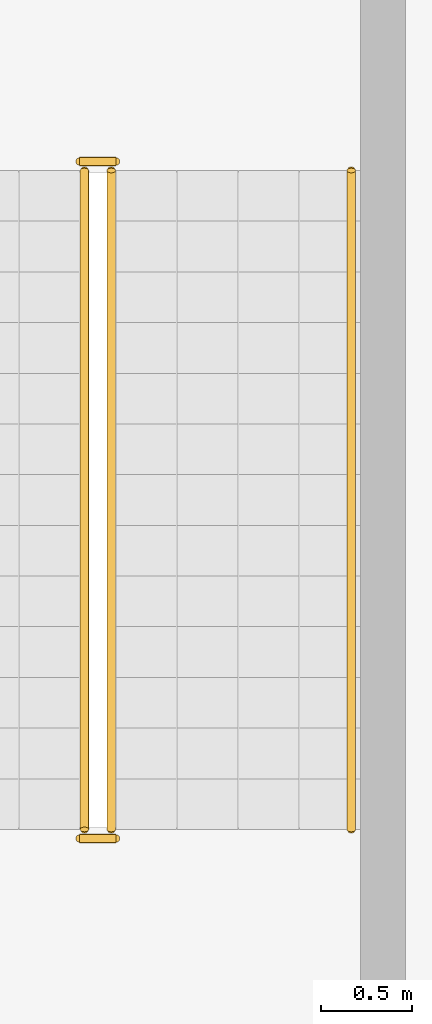
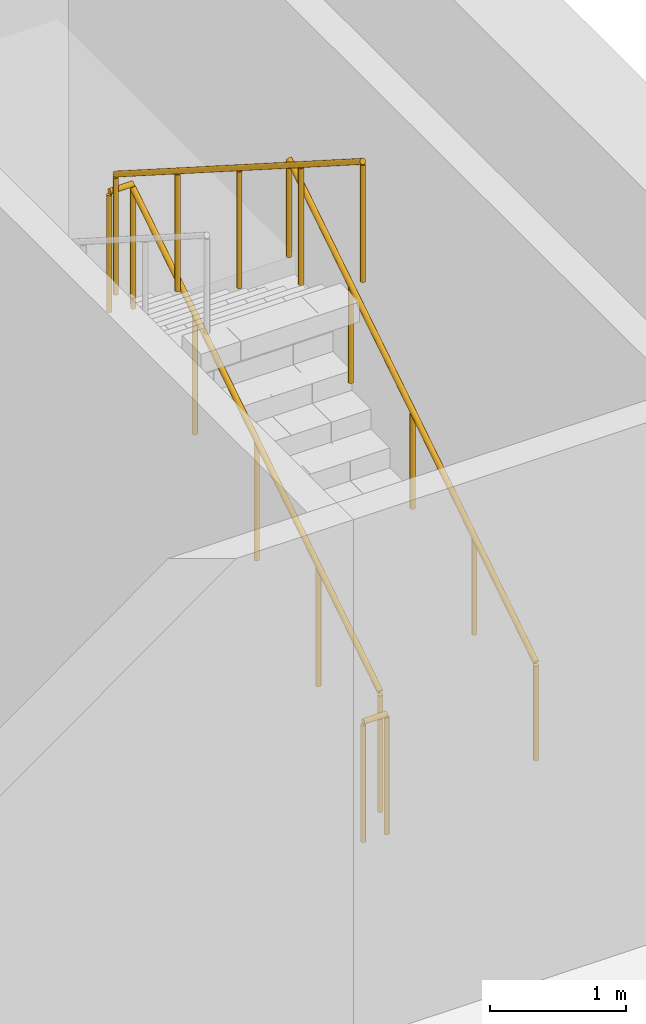
# One storey, part 18 of 19: 5 railings.
"""IFC4 building model written with IfcOpenShell, lengths in metres."""

from ifc_helpers import new_model, si_unit, direction, frame, origin, origin_2d, place, context, subcontext, project, spatial, circle, extrude, material, type_object, element, save


model = new_model("IFC4")

# Units and contexts
model_context = context("Model", 3, precision=1e-05, world=origin(), true_north=direction((0.0, 1.0)))
body_context = subcontext(model_context, "Body", "Model", "MODEL_VIEW")
ifc_project = project(units=[si_unit("LENGTHUNIT", "METRE"), si_unit("AREAUNIT", "SQUARE_METRE"), si_unit("VOLUMEUNIT", "CUBIC_METRE"), si_unit("PLANEANGLEUNIT", "RADIAN"), si_unit("MASSUNIT", "GRAM", prefix="KILO")], contexts=[model_context])

# Site, building, storey
site_placement = place(None, origin())
site = spatial("IfcSite", under=ifc_project, at=site_placement, CompositionType="ELEMENT")
building_placement = place(site_placement, origin())
building = spatial("IfcBuilding", under=site, at=building_placement, Name="Cantera Rosa Tower", CompositionType="ELEMENT")
storey_placement = place(building_placement, frame((0.0, 0.0, 12.0)))
storey = spatial("IfcBuildingStorey", under=building, at=storey_placement, Name="L01", CompositionType="ELEMENT", Elevation=12.0)

# Railings
ifc_material_1 = material(Name="Steel S355J2 (EN 10025-2)", Category="steel")
railing_type_1 = type_object("IfcRailingType", Name="STAIR GUARD 1100", PredefinedType="GUARDRAIL", material=ifc_material_1)
railing_1_placement = place(storey_placement, frame((30.799072265625, 21.125, 0.178466796875)))
element("IfcRailing", 1, at=railing_1_placement, inside=storey, type_object=railing_type_1, Name="L01 ST-NE stair guard 1", PredefinedType="GUARDRAIL", context=body_context, shape_type="SweptSolid", body=[
    extrude(circle(Radius=0.02392578125, at=origin_2d()), frame((0.0, 0.0, 1.076171875), z_axis=(0.0, 0.843111507901, 0.53773877045), x_axis=(-1.0, 0.0, 0.0)), (0.0, 0.0, 1.0), 4.317138671875),
    extrude(circle(Radius=0.02099609375, at=origin_2d()), origin(), (0.0, 0.0, 1.0), 1.052001953125),
    extrude(circle(Radius=0.02099609375, at=origin_2d()), frame((0.0, 0.909912109375, 0.580322265625)), (0.0, 0.0, 1.0), 1.052001953125),
    extrude(circle(Radius=0.02099609375, at=origin_2d()), frame((0.0, 1.81982421875, 1.16064453125)), (0.0, 0.0, 1.0), 1.052001953125),
    extrude(circle(Radius=0.02099609375, at=origin_2d()), frame((0.0, 2.72998046875, 1.7412109375)), (0.0, 0.0, 1.0), 1.052001953125),
    extrude(circle(Radius=0.02099609375, at=origin_2d()), frame((0.0, 3.639892578125, 2.321533203125)), (0.0, 0.0, 1.0), 1.052001953125),
])
railing_2_placement = place(storey_placement, frame((30.824951171875, 24.81494140625, 2.5)))
element("IfcRailing", 2, at=railing_2_placement, inside=storey, type_object=railing_type_1, Name="L01 ST-NE stair guard 2", PredefinedType="GUARDRAIL", context=body_context, shape_type="SweptSolid", body=[
    extrude(circle(Radius=0.02392578125, at=origin_2d()), frame((0.0, 0.0, 1.076171875), z_axis=(-1.0, 0.0, 0.0), x_axis=(0.0, -1.0, 0.0)), (0.0, 0.0, 1.0), 0.199951171875),
    extrude(circle(Radius=0.02099609375, at=origin_2d()), origin(), (0.0, 0.0, 1.0), 1.052001953125),
    extrude(circle(Radius=0.02099609375, at=origin_2d()), frame((-0.199951171875, 0.0, 0.0)), (0.0, 0.0, 1.0), 1.052001953125),
])
railing_3_placement = place(storey_placement, frame((30.65087890625, 24.764892578125, 2.678466796875)))
element("IfcRailing", 3, at=railing_3_placement, inside=storey, type_object=railing_type_1, Name="L01 ST-NE stair guard 3", PredefinedType="GUARDRAIL", context=body_context, shape_type="SweptSolid", body=[
    extrude(circle(Radius=0.02392578125, at=origin_2d()), frame((0.0, 0.0, 1.076171875), z_axis=(0.0, -0.843111507901, 0.53773877045), x_axis=(1.0, 0.0, 0.0)), (0.0, 0.0, 1.0), 4.317138671875),
    extrude(circle(Radius=0.02099609375, at=origin_2d()), origin(), (0.0, 0.0, 1.0), 1.052001953125),
    extrude(circle(Radius=0.02099609375, at=origin_2d()), frame((0.0, -0.909912109375, 0.580322265625)), (0.0, 0.0, 1.0), 1.052001953125),
    extrude(circle(Radius=0.02099609375, at=origin_2d()), frame((0.0, -1.81982421875, 1.16064453125)), (0.0, 0.0, 1.0), 1.052001953125),
    extrude(circle(Radius=0.02099609375, at=origin_2d()), frame((0.0, -2.72998046875, 1.7412109375)), (0.0, 0.0, 1.0), 1.052001953125),
    extrude(circle(Radius=0.02099609375, at=origin_2d()), frame((0.0, -3.639892578125, 2.321533203125)), (0.0, 0.0, 1.0), 1.052001953125),
])
railing_4_placement = place(storey_placement, frame((30.824951171875, 21.074951171875, 0.0)))
element("IfcRailing", 4, at=railing_4_placement, inside=storey, type_object=railing_type_1, Name="L01 ST-NE stair guard 4", PredefinedType="GUARDRAIL", context=body_context, shape_type="SweptSolid", body=[
    extrude(circle(Radius=0.02392578125, at=origin_2d()), frame((0.0, 0.0, 1.076171875), z_axis=(-1.0, 0.0, 0.0), x_axis=(0.0, -1.0, 0.0)), (0.0, 0.0, 1.0), 0.199951171875),
    extrude(circle(Radius=0.02099609375, at=origin_2d()), origin(), (0.0, 0.0, 1.0), 1.052001953125),
    extrude(circle(Radius=0.02099609375, at=origin_2d()), frame((-0.199951171875, 0.0, 0.0)), (0.0, 0.0, 1.0), 1.052001953125),
])
ifc_material_2 = material(Name="Steel S355J2 (EN 10025-2)", Category="steel")
railing_type_2 = type_object("IfcRailingType", Name="STAIR HANDRAIL 900", PredefinedType="HANDRAIL", material=ifc_material_2)
railing_5_placement = place(storey_placement, frame((32.125, 21.125, 0.178466796875)))
element("IfcRailing", 5, at=railing_5_placement, inside=storey, type_object=railing_type_2, Name="L01 ST-NE stair handrail 1", PredefinedType="HANDRAIL", context=body_context, shape_type="SweptSolid", body=[
    extrude(circle(Radius=0.02392578125, at=origin_2d()), frame((0.0, 0.0, 0.8759765625), z_axis=(0.0, 0.843111507901, 0.53773877045), x_axis=(-1.0, 0.0, 0.0)), (0.0, 0.0, 1.0), 4.317138671875),
    extrude(circle(Radius=0.02099609375, at=origin_2d()), origin(), (0.0, 0.0, 1.0), 0.851806640625),
    extrude(circle(Radius=0.02099609375, at=origin_2d()), frame((0.0, 0.909912109375, 0.580322265625)), (0.0, 0.0, 1.0), 0.851806640625),
    extrude(circle(Radius=0.02099609375, at=origin_2d()), frame((0.0, 1.81982421875, 1.16064453125)), (0.0, 0.0, 1.0), 0.851806640625),
    extrude(circle(Radius=0.02099609375, at=origin_2d()), frame((0.0, 2.72998046875, 1.7412109375)), (0.0, 0.0, 1.0), 0.851806640625),
    extrude(circle(Radius=0.02099609375, at=origin_2d()), frame((0.0, 3.639892578125, 2.321533203125)), (0.0, 0.0, 1.0), 0.851806640625),
])

save(model, "model.ifc")
